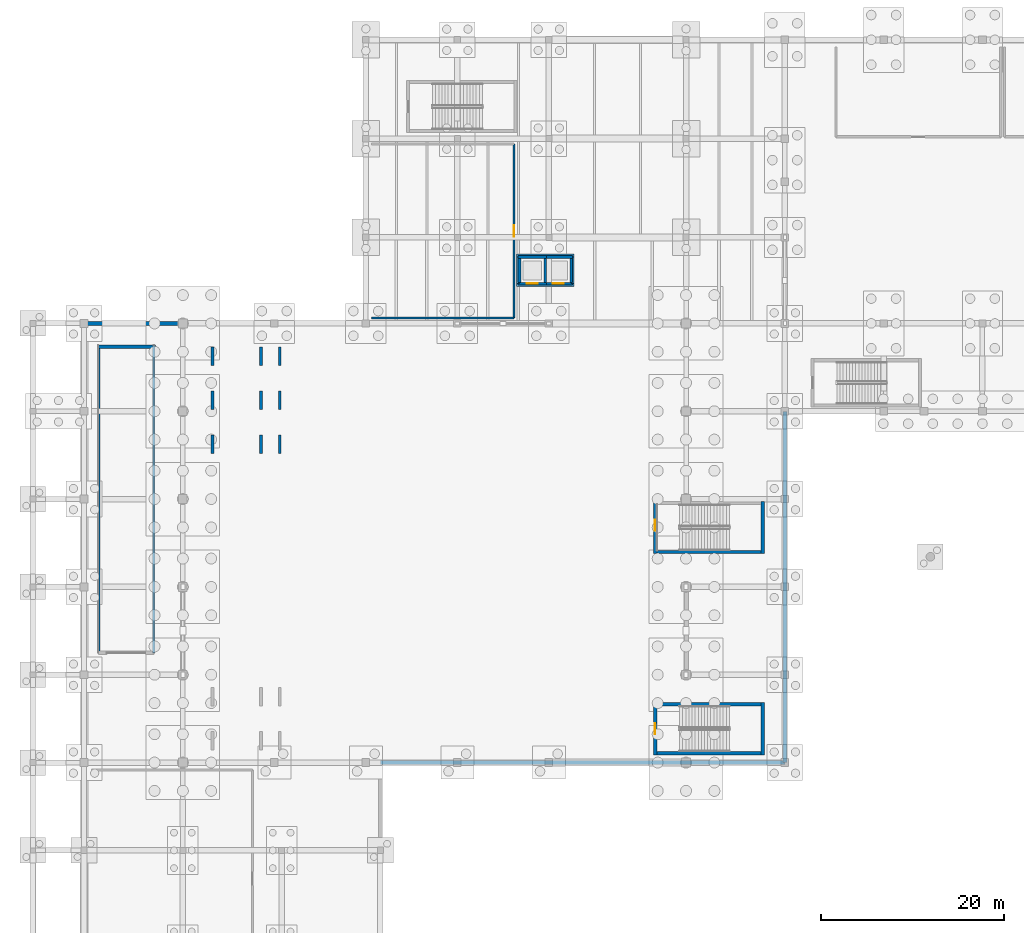
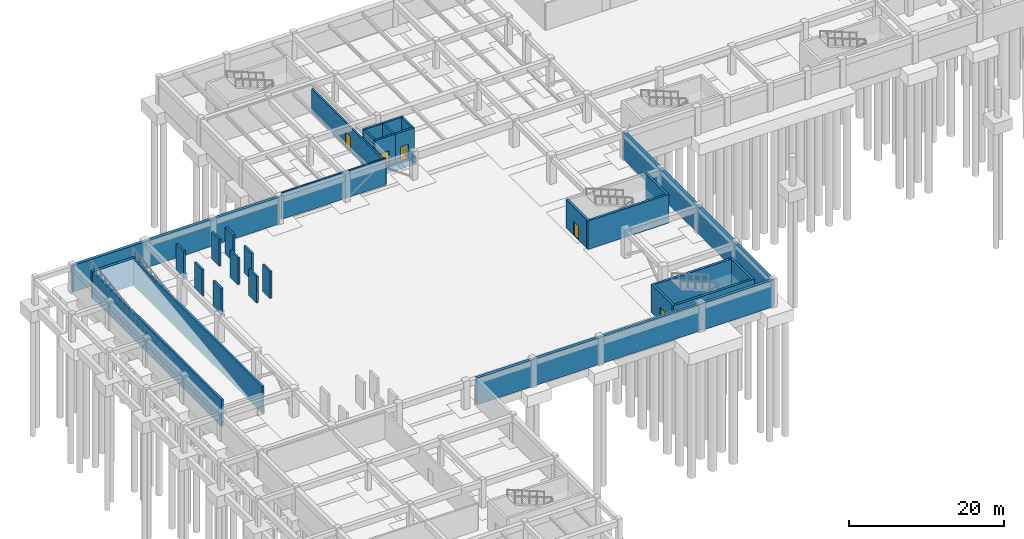
# One storey, part 15 of 33: 35 walls, 5 doors, 5 openings.
"""IFC4 building model written with IfcOpenShell, lengths in metres."""

from ifc_helpers import new_model, si_unit, direction, frame, frame_2d, origin, place, context, subcontext, project, spatial, rectangle, extrude, material, layer, layer_set, type_object, element, fill, save


model = new_model("IFC4")

# Units and contexts
model_context = context("Model", 3, precision=1e-05, world=origin(), true_north=direction((0.0, 1.0)))
body_context = subcontext(model_context, "Body", "Model", "MODEL_VIEW")
ifc_project = project(units=[si_unit("LENGTHUNIT", "METRE"), si_unit("AREAUNIT", "SQUARE_METRE"), si_unit("VOLUMEUNIT", "CUBIC_METRE"), si_unit("PLANEANGLEUNIT", "RADIAN"), si_unit("MASSUNIT", "GRAM", prefix="KILO")], contexts=[model_context])

# Site, building, storey
site_placement = place(None, origin())
site = spatial("IfcSite", under=ifc_project, at=site_placement, CompositionType="ELEMENT")
building_placement = place(site_placement, origin())
building = spatial("IfcBuilding", under=site, at=building_placement, Name="Veldera Park Congress Hotel", CompositionType="ELEMENT")
storey_placement = place(building_placement, frame((0.0, 0.0, -4.5)))
storey = spatial("IfcBuildingStorey", under=building, at=storey_placement, Name="B1", CompositionType="ELEMENT", Elevation=-4.5)

# Wall
ifc_material_1 = material(Name="Concrete f'c 40 MPa (5,800 psi)", Category="concrete")
ifc_layer_1 = layer(ifc_material_1, 0.239990234375)
ifc_layer_set_1 = layer_set([ifc_layer_1], Name="Concrete f'c 40 MPa (5,800 psi)")
wall_type_1 = type_object("IfcWallType", Name="IW-FIRE240", PredefinedType="STANDARD", material=ifc_layer_set_1)
wall_1_placement = place(storey_placement, frame((-46.800048828125, 27.60009765625, 0.0), z_axis=(0.0, 0.0, 1.0), x_axis=(1.0, 0.0, 0.0)))
element("IfcWall", 1, at=wall_1_placement, inside=storey, type_object=wall_type_1, Name="B1 Partition Wall IW3-B1-00006", PredefinedType="STANDARD", context=body_context, shape_type="SweptSolid", body=[
    extrude(rectangle(XDim=15.60009765625, YDim=0.239990234375, at=frame_2d((7.800048828125, 0.0))), origin(), (0.0, 0.0, 1.0), 4.199951171875),
])

# Wall, opening, door
wall_2_placement = place(storey_placement, frame((-31.199951171875, 27.60009765625, 0.0), z_axis=(0.0, 0.0, 1.0), x_axis=(0.0, 1.0, 0.0)))
wall_2 = element("IfcWall", 2, at=wall_2_placement, inside=storey, type_object=wall_type_1, Name="B1 Partition Wall IW3-B1-00007", PredefinedType="STANDARD", context=body_context, shape_type="SweptSolid", body=[
    extrude(rectangle(XDim=19.0, YDim=0.239990234375, at=frame_2d((9.5, 0.0))), origin(), (0.0, 0.0, 1.0), 3.657958984375),
])
opening_1_placement = place(wall_2_placement, frame((8.85009765625, 0.0, 0.0)))
opening_1 = element("IfcOpeningElement", 3, at=opening_1_placement, cuts=wall_2, Name="Opening ID-PLANT130", PredefinedType="OPENING", context=body_context, shape_type="SweptSolid", body=[
    extrude(rectangle(XDim=1.300048828125, YDim=2.199951171875, at=frame_2d((0.64990234375, 1.10009765625))), frame((0.0, 0.132080078125, 0.0), z_axis=(0.0, -1.0, 0.0), x_axis=(1.0, 0.0, 0.0)), (0.0, 0.0, 1.0), 0.263916015625),
])
ifc_material_2 = material(Name="Hollow Metal Fire-Rated Steel Door", Category="steel")
door_type_1 = type_object("IfcDoorType", Name="ID-PLANT130", OperationType="NOTDEFINED", PredefinedType="DOOR", material=ifc_material_2)
door_1_placement = place(opening_1_placement, origin())
door_1 = element("IfcDoor", 4, at=door_1_placement, inside=storey, type_object=door_type_1, Name="B1 Central Chiller and Thermal Energy Plant Door ID3-B1-0004 (DR3-ID3-B1-0004)", OperationType="SINGLE_SWING_RIGHT", OverallHeight=2.199951171875, OverallWidth=1.300048828125, PredefinedType="DOOR", context=body_context, shape_type="SweptSolid", body=[
    extrude(rectangle(XDim=1.300048828125, YDim=2.199951171875, at=frame_2d((0.64990234375, 1.10009765625))), frame((0.0, 0.02490234375, 0.0), z_axis=(0.0, -1.0, 0.0), x_axis=(1.0, 0.0, 0.0)), (0.0, 0.0, 1.0), 0.050048828125),
])
fill(opening_1, door_1)

# Walls
ifc_layer_2 = layer(ifc_material_1, 0.35009765625)
ifc_layer_set_2 = layer_set([ifc_layer_2], Name="Concrete f'c 40 MPa (5,800 psi)")
wall_type_2 = type_object("IfcWallType", Name="SW-CORE350", PredefinedType="SHEAR", material=ifc_layer_set_2)
wall_3_placement = place(storey_placement, frame((-15.949951171875, -19.97509765625, 0.0), z_axis=(0.0, 0.0, 1.0), x_axis=(1.0, 0.0, 0.0)))
element("IfcWall", 5, at=wall_3_placement, inside=storey, type_object=wall_type_2, Name="Stair ST5 Core Wall B1-S", PredefinedType="SHEAR", context=body_context, shape_type="SweptSolid", body=[
    extrude(rectangle(XDim=12.099853515625, YDim=0.35009765625, at=frame_2d((6.0498046875, 0.0))), origin(), (0.0, 0.0, 1.0), 4.5),
])
wall_4_placement = place(storey_placement, frame((-4.02490234375, -20.14990234375, 0.0), z_axis=(0.0, 0.0, 1.0), x_axis=(0.0, 1.0, 0.0)))
element("IfcWall", 6, at=wall_4_placement, inside=storey, type_object=wall_type_2, Name="Stair ST5 Core Wall B1-E", PredefinedType="SHEAR", context=body_context, shape_type="SweptSolid", body=[
    extrude(rectangle(XDim=5.699951171875, YDim=0.35009765625, at=frame_2d((2.85009765625, 0.0))), origin(), (0.0, 0.0, 1.0), 4.5),
])
wall_5_placement = place(storey_placement, frame((-3.85009765625, -14.625, 0.0), z_axis=(0.0, 0.0, 1.0), x_axis=(-1.0, 0.0, 0.0)))
element("IfcWall", 7, at=wall_5_placement, inside=storey, type_object=wall_type_2, Name="Stair ST5 Core Wall B1-N", PredefinedType="SHEAR", context=body_context, shape_type="SweptSolid", body=[
    extrude(rectangle(XDim=12.099853515625, YDim=0.35009765625, at=frame_2d((6.0498046875, 0.0))), origin(), (0.0, 0.0, 1.0), 4.5),
])

# Wall, opening, door
wall_6_placement = place(storey_placement, frame((-15.77490234375, -14.449951171875, 0.0), z_axis=(0.0, 0.0, 1.0), x_axis=(0.0, -1.0, 0.0)))
wall_6 = element("IfcWall", 8, at=wall_6_placement, inside=storey, type_object=wall_type_2, Name="Stair ST5 Core Wall B1-W", PredefinedType="SHEAR", context=body_context, shape_type="SweptSolid", body=[
    extrude(rectangle(XDim=5.699951171875, YDim=0.35009765625, at=frame_2d((2.85009765625, 0.0))), origin(), (0.0, 0.0, 1.0), 4.5),
])
opening_2_placement = place(wall_6_placement, frame((2.25, 0.0, 0.0)))
opening_2 = element("IfcOpeningElement", 9, at=opening_2_placement, cuts=wall_6, Name="Opening ID-STAIR120", PredefinedType="OPENING", context=body_context, shape_type="SweptSolid", body=[
    extrude(rectangle(XDim=1.199951171875, YDim=2.199951171875, at=frame_2d((0.60009765625, 1.10009765625))), frame((0.0, 0.18701171875, 0.0), z_axis=(0.0, -1.0, 0.0), x_axis=(1.0, 0.0, 0.0)), (0.0, 0.0, 1.0), 0.3740234375),
])
door_type_2 = type_object("IfcDoorType", Name="ID-STAIR120", OperationType="NOTDEFINED", PredefinedType="DOOR", material=ifc_material_2)
door_2_placement = place(opening_2_placement, origin())
door_2 = element("IfcDoor", 10, at=door_2_placement, inside=storey, type_object=door_type_2, Name="B1 Stair ST5 Fire Door (DR3-SD-ST5-B1)", OperationType="SINGLE_SWING_RIGHT", OverallHeight=2.199951171875, OverallWidth=1.199951171875, PredefinedType="DOOR", context=body_context, shape_type="SweptSolid", body=[
    extrude(rectangle(XDim=1.199951171875, YDim=2.199951171875, at=frame_2d((0.60009765625, 1.10009765625))), frame((0.0, 0.02490234375, 0.0), z_axis=(0.0, -1.0, 0.0), x_axis=(1.0, 0.0, 0.0)), (0.0, 0.0, 1.0), 0.050048828125),
])
fill(opening_2, door_2)

# Walls
wall_7_placement = place(storey_placement, frame((-15.949951171875, 2.02490234375, 0.0), z_axis=(0.0, 0.0, 1.0), x_axis=(1.0, 0.0, 0.0)))
element("IfcWall", 11, at=wall_7_placement, inside=storey, type_object=wall_type_2, Name="Monumental Stair ST9 Wall B1-S", PredefinedType="SHEAR", context=body_context, shape_type="SweptSolid", body=[
    extrude(rectangle(XDim=12.099853515625, YDim=0.35009765625, at=frame_2d((6.0498046875, 0.0))), origin(), (0.0, 0.0, 1.0), 4.5),
])
wall_8_placement = place(storey_placement, frame((-4.02490234375, 1.85009765625, 0.0), z_axis=(0.0, 0.0, 1.0), x_axis=(0.0, 1.0, 0.0)))
element("IfcWall", 12, at=wall_8_placement, inside=storey, type_object=wall_type_2, Name="Monumental Stair ST9 Wall B1-E", PredefinedType="SHEAR", context=body_context, shape_type="SweptSolid", body=[
    extrude(rectangle(XDim=5.699951171875, YDim=0.35009765625, at=frame_2d((2.85009765625, 0.0))), origin(), (0.0, 0.0, 1.0), 4.5),
])

# Wall, opening, door
wall_9_placement = place(storey_placement, frame((-15.77490234375, 7.550048828125, 0.0), z_axis=(0.0, 0.0, 1.0), x_axis=(0.0, -1.0, 0.0)))
wall_9 = element("IfcWall", 13, at=wall_9_placement, inside=storey, type_object=wall_type_2, Name="Monumental Stair ST9 Wall B1-W", PredefinedType="SHEAR", context=body_context, shape_type="SweptSolid", body=[
    extrude(rectangle(XDim=5.699951171875, YDim=0.35009765625, at=frame_2d((2.85009765625, 0.0))), origin(), (0.0, 0.0, 1.0), 4.5),
])
opening_3_placement = place(wall_9_placement, frame((2.0, 0.0, 0.0)))
opening_3 = element("IfcOpeningElement", 14, at=opening_3_placement, cuts=wall_9, Name="Opening ID-STAIR120", PredefinedType="OPENING", context=body_context, shape_type="SweptSolid", body=[
    extrude(rectangle(XDim=1.199951171875, YDim=2.199951171875, at=frame_2d((0.60009765625, 1.10009765625))), frame((0.0, 0.18701171875, 0.0), z_axis=(0.0, -1.0, 0.0), x_axis=(1.0, 0.0, 0.0)), (0.0, 0.0, 1.0), 0.3740234375),
])
door_3_placement = place(opening_3_placement, origin())
door_3 = element("IfcDoor", 15, at=door_3_placement, inside=storey, type_object=door_type_2, Name="B1 Stair ST9 Fire Door (DR3-SD-ST9-B1)", OperationType="SINGLE_SWING_RIGHT", OverallHeight=2.199951171875, OverallWidth=1.199951171875, PredefinedType="DOOR", context=body_context, shape_type="SweptSolid", body=[
    extrude(rectangle(XDim=1.199951171875, YDim=2.199951171875, at=frame_2d((0.60009765625, 1.10009765625))), frame((0.0, 0.02490234375, 0.0), z_axis=(0.0, -1.0, 0.0), x_axis=(1.0, 0.0, 0.0)), (0.0, 0.0, 1.0), 0.050048828125),
])
fill(opening_3, door_3)

# Walls
ifc_layer_3 = layer(ifc_material_1, 0.39990234375)
ifc_layer_set_3 = layer_set([ifc_layer_3], Name="Concrete f'c 40 MPa (5,800 psi)")
wall_type_3 = type_object("IfcWallType", Name="SW-CORE400", PredefinedType="SHEAR", material=ifc_layer_set_3)
wall_10_placement = place(storey_placement, frame((-76.800048828125, 24.449951171875, 0.0), z_axis=(0.0, 0.0, 1.0), x_axis=(1.0, 0.0, 0.0)))
element("IfcWall", 16, at=wall_10_placement, inside=storey, type_object=wall_type_3, Name="Vehicle Ramp Upper Bearing Wall", PredefinedType="SHEAR", context=body_context, shape_type="SweptSolid", body=[
    extrude(rectangle(XDim=6.400146484375, YDim=0.39990234375, at=frame_2d((3.2001953125, 0.0))), origin(), (0.0, 0.0, 1.0), 4.199951171875),
])
ifc_layer_4 = layer(ifc_material_1, 0.320068359375)
ifc_layer_set_4 = layer_set([ifc_layer_4], Name="Concrete f'c 40 MPa (5,800 psi)")
wall_type_4 = type_object("IfcWallType", Name="SW-PIT320", PredefinedType="SHEAR", material=ifc_layer_set_4)
for number, where, z_axis, x_axis, name in (
    (17, (-30.919921875, 31.18994140625, -1.179931640625), (0.0, 0.0, 1.0), (1.0, 0.0, 0.0), "Elevator Pit Wall PIT-CL-S"),
    (18, (-24.6298828125, 34.409912109375, -1.179931640625), (0.0, 0.0, 1.0), (-1.0, 0.0, 0.0), "Elevator Pit Wall PIT-CL-N"),
):
    element("IfcWall", number, at=place(storey_placement, frame(where, z_axis=z_axis, x_axis=x_axis)), inside=storey, type_object=wall_type_4, Name=name, PredefinedType="SHEAR", context=body_context, shape_type="SweptSolid", body=[
        extrude(rectangle(XDim=6.2900390625, YDim=0.320068359375, at=frame_2d((3.14501953125, 0.0))), origin(), (0.0, 0.0, 1.0), 1.179931640625),
    ])
for number, where, z_axis, x_axis, name in (
    (19, (-24.7900390625, 31.35009765625, -1.179931640625), (0.0, 0.0, 1.0), (0.0, 1.0, 0.0), "Elevator Pit Wall PIT-CL-E"),
    (20, (-30.760009765625, 34.25, -1.179931640625), (0.0, 0.0, 1.0), (0.0, -1.0, 0.0), "Elevator Pit Wall PIT-CL-W"),
):
    element("IfcWall", number, at=place(storey_placement, frame(where, z_axis=z_axis, x_axis=x_axis)), inside=storey, type_object=wall_type_4, Name=name, PredefinedType="SHEAR", context=body_context, shape_type="SweptSolid", body=[
        extrude(rectangle(XDim=2.89990234375, YDim=0.320068359375, at=frame_2d((1.449951171875, 0.0))), origin(), (0.0, 0.0, 1.0), 1.179931640625),
    ])
ifc_layer_5 = layer(ifc_material_1, 0.449951171875)
ifc_layer_set_5 = layer_set([ifc_layer_5], Name="Concrete f'c 40 MPa (5,800 psi)")
wall_type_5 = type_object("IfcWallType", Name="SW-RET450", PredefinedType="USERDEFINED", material=ifc_layer_set_5)
wall_11_placement = place(storey_placement, frame((-45.800048828125, -21.0, 0.0), z_axis=(0.0, 0.0, 1.0), x_axis=(1.0, 0.0, 0.0)))
element("IfcWall", 21, at=wall_11_placement, inside=storey, type_object=wall_type_5, Name="Basement Retaining Wall 3", ObjectType="RETAININGWALL", PredefinedType="USERDEFINED", context=body_context, shape_type="SweptSolid", body=[
    extrude(rectangle(XDim=44.199951171875, YDim=0.449951171875, at=frame_2d((22.10009765625, 0.0))), origin(), (0.0, 0.0, 1.0), 4.199951171875),
])
wall_12_placement = place(storey_placement, frame((-1.60009765625, -21.0, 0.0), z_axis=(0.0, 0.0, 1.0), x_axis=(0.0, 1.0, 0.0)))
element("IfcWall", 22, at=wall_12_placement, inside=storey, type_object=wall_type_5, Name="Basement Retaining Wall 4", ObjectType="RETAININGWALL", PredefinedType="USERDEFINED", context=body_context, shape_type="SweptSolid", body=[
    extrude(rectangle(XDim=38.39990234375, YDim=0.449951171875, at=frame_2d((19.199951171875, 0.0))), origin(), (0.0, 0.0, 1.0), 4.199951171875),
])
wall_13_placement = place(storey_placement, frame((-47.39990234375, 27.0, 0.0), z_axis=(0.0, 0.0, 1.0), x_axis=(-1.0, 0.0, 0.0)))
element("IfcWall", 23, at=wall_13_placement, inside=storey, type_object=wall_type_5, Name="Basement Retaining Wall 11", ObjectType="RETAININGWALL", PredefinedType="USERDEFINED", context=body_context, shape_type="SweptSolid", body=[
    extrude(rectangle(XDim=30.800048828125, YDim=0.449951171875, at=frame_2d((15.39990234375, 0.0))), origin(), (0.0, 0.0, 1.0), 4.199951171875),
])
ifc_layer_6 = layer(ifc_material_1, 0.300048828125)
ifc_layer_set_6 = layer_set([ifc_layer_6], Name="Concrete f'c 40 MPa (5,800 psi)")
wall_type_6 = type_object("IfcWallType", Name="SW-SHFT300", PredefinedType="SHEAR", material=ifc_layer_set_6)
for number, where, z_axis, x_axis, name in (
    (24, (-76.6201171875, -9.0, 0.0), (0.0, 0.0, 1.0), (0.0, 1.0, 0.0), "Vehicle Ramp Support Cheek Wall W"),
    (25, (-70.580078125, -9.0, 0.0), (0.0, 0.0, 1.0), (0.0, 1.0, 0.0), "Vehicle Ramp Support Cheek Wall E"),
):
    element("IfcWall", number, at=place(storey_placement, frame(where, z_axis=z_axis, x_axis=x_axis)), inside=storey, type_object=wall_type_6, Name=name, PredefinedType="SHEAR", context=body_context, shape_type="SweptSolid", body=[
        extrude(rectangle(XDim=33.60009765625, YDim=0.300048828125, at=frame_2d((16.800048828125, 0.0))), origin(), (0.0, 0.0, 1.0), 4.179931640625),
    ])

# Wall, opening, door
wall_14_placement = place(storey_placement, frame((-30.75, 31.35009765625, 0.0), z_axis=(0.0, 0.0, 1.0), x_axis=(1.0, 0.0, 0.0)))
wall_14 = element("IfcWall", 26, at=wall_14_placement, inside=storey, type_object=wall_type_6, Name="Lift CL-01 Shaft Wall B1-S", PredefinedType="SHEAR", context=body_context, shape_type="SweptSolid", body=[
    extrude(rectangle(XDim=3.10009765625, YDim=0.300048828125, at=frame_2d((1.550048828125, 0.0))), origin(), (0.0, 0.0, 1.0), 4.5),
])
opening_4_placement = place(wall_14_placement, frame((0.949951171875, 0.0, 0.0)))
opening_4 = element("IfcOpeningElement", 27, at=opening_4_placement, cuts=wall_14, Name="Opening LD-120", PredefinedType="OPENING", context=body_context, shape_type="SweptSolid", body=[
    extrude(rectangle(XDim=1.199951171875, YDim=2.199951171875, at=frame_2d((0.60009765625, 1.10009765625))), frame((0.0, 0.162109375, 0.0), z_axis=(0.0, -1.0, 0.0), x_axis=(1.0, 0.0, 0.0)), (0.0, 0.0, 1.0), 0.323974609375),
])
door_type_3 = type_object("IfcDoorType", Name="LD-120", OperationType="DOUBLE_DOOR_SLIDING", PredefinedType="DOOR", material=ifc_material_2)
door_4_placement = place(opening_4_placement, origin())
door_4 = element("IfcDoor", 28, at=door_4_placement, inside=storey, type_object=door_type_3, Name="B1 Lift CL-01 Landing Door (DR3-LD-CL-01-B1)", OperationType="DOUBLE_DOOR_SLIDING", OverallHeight=2.199951171875, OverallWidth=1.199951171875, PredefinedType="DOOR", context=body_context, shape_type="SweptSolid", body=[
    extrude(rectangle(XDim=1.199951171875, YDim=2.199951171875, at=frame_2d((0.60009765625, 1.10009765625))), frame((0.0, 0.02490234375, 0.0), z_axis=(0.0, -1.0, 0.0), x_axis=(1.0, 0.0, 0.0)), (0.0, 0.0, 1.0), 0.050048828125),
])
fill(opening_4, door_4)

# Walls
wall_15_placement = place(storey_placement, frame((-27.64990234375, 34.25, 0.0), z_axis=(0.0, 0.0, 1.0), x_axis=(-1.0, 0.0, 0.0)))
element("IfcWall", 29, at=wall_15_placement, inside=storey, type_object=wall_type_6, Name="Lift CL-01 Shaft Wall B1-N", PredefinedType="SHEAR", context=body_context, shape_type="SweptSolid", body=[
    extrude(rectangle(XDim=3.10009765625, YDim=0.300048828125, at=frame_2d((1.550048828125, 0.0))), origin(), (0.0, 0.0, 1.0), 4.5),
])
for number, where, z_axis, x_axis, name in (
    (30, (-27.800048828125, 31.5, 0.0), (0.0, 0.0, 1.0), (0.0, 1.0, 0.0), "Lift CL-01 Shaft Wall B1-E"),
    (31, (-30.60009765625, 34.10009765625, 0.0), (0.0, 0.0, 1.0), (0.0, -1.0, 0.0), "Lift CL-01 Shaft Wall B1-W"),
):
    element("IfcWall", number, at=place(storey_placement, frame(where, z_axis=z_axis, x_axis=x_axis)), inside=storey, type_object=wall_type_6, Name=name, PredefinedType="SHEAR", context=body_context, shape_type="SweptSolid", body=[
        extrude(rectangle(XDim=2.60009765625, YDim=0.300048828125, at=frame_2d((1.300048828125, 0.0))), origin(), (0.0, 0.0, 1.0), 4.5),
    ])

# Wall, opening, door
wall_16_placement = place(storey_placement, frame((-27.89990234375, 31.35009765625, 0.0), z_axis=(0.0, 0.0, 1.0), x_axis=(1.0, 0.0, 0.0)))
wall_16 = element("IfcWall", 32, at=wall_16_placement, inside=storey, type_object=wall_type_6, Name="Lift CL-02 Shaft Wall B1-S", PredefinedType="SHEAR", context=body_context, shape_type="SweptSolid", body=[
    extrude(rectangle(XDim=3.099853515625, YDim=0.300048828125, at=frame_2d((1.5498046875, 0.0))), origin(), (0.0, 0.0, 1.0), 4.5),
])
opening_5_placement = place(wall_16_placement, frame((0.949951171875, 0.0, 0.0)))
opening_5 = element("IfcOpeningElement", 33, at=opening_5_placement, cuts=wall_16, Name="Opening LD-120", PredefinedType="OPENING", context=body_context, shape_type="SweptSolid", body=[
    extrude(rectangle(XDim=1.199951171875, YDim=2.199951171875, at=frame_2d((0.60009765625, 1.10009765625))), frame((0.0, 0.162109375, 0.0), z_axis=(0.0, -1.0, 0.0), x_axis=(1.0, 0.0, 0.0)), (0.0, 0.0, 1.0), 0.323974609375),
])
door_5_placement = place(opening_5_placement, origin())
door_5 = element("IfcDoor", 34, at=door_5_placement, inside=storey, type_object=door_type_3, Name="B1 Lift CL-02 Landing Door (DR3-LD-CL-02-B1)", OperationType="DOUBLE_DOOR_SLIDING", OverallHeight=2.199951171875, OverallWidth=1.199951171875, PredefinedType="DOOR", context=body_context, shape_type="SweptSolid", body=[
    extrude(rectangle(XDim=1.199951171875, YDim=2.199951171875, at=frame_2d((0.60009765625, 1.10009765625))), frame((0.0, 0.02490234375, 0.0), z_axis=(0.0, -1.0, 0.0), x_axis=(1.0, 0.0, 0.0)), (0.0, 0.0, 1.0), 0.050048828125),
])
fill(opening_5, door_5)

# Walls
wall_17_placement = place(storey_placement, frame((-24.800048828125, 34.25, 0.0), z_axis=(0.0, 0.0, 1.0), x_axis=(-1.0, 0.0, 0.0)))
element("IfcWall", 35, at=wall_17_placement, inside=storey, type_object=wall_type_6, Name="Lift CL-02 Shaft Wall B1-N", PredefinedType="SHEAR", context=body_context, shape_type="SweptSolid", body=[
    extrude(rectangle(XDim=3.099853515625, YDim=0.300048828125, at=frame_2d((1.5498046875, 0.0))), origin(), (0.0, 0.0, 1.0), 4.5),
])
wall_18_placement = place(storey_placement, frame((-24.949951171875, 31.5, 0.0), z_axis=(0.0, 0.0, 1.0), x_axis=(0.0, 1.0, 0.0)))
element("IfcWall", 36, at=wall_18_placement, inside=storey, type_object=wall_type_6, Name="Lift CL-02 Shaft Wall B1-E", PredefinedType="SHEAR", context=body_context, shape_type="SweptSolid", body=[
    extrude(rectangle(XDim=2.60009765625, YDim=0.300048828125, at=frame_2d((1.300048828125, 0.0))), origin(), (0.0, 0.0, 1.0), 4.5),
])
for number, where, z_axis, x_axis, name in (
    (37, (-64.14990234375, 12.800048828125, 0.0), (0.0, 0.0, 1.0), (0.0, 1.0, 0.0), "Accessible Ramp 3 B1 Lower Pier Wall"),
    (38, (-58.85009765625, 12.800048828125, 0.0), (0.0, 0.0, 1.0), (0.0, 1.0, 0.0), "Accessible Ramp 3 B1 Upper Pier Wall"),
    (39, (-56.800048828125, 12.800048828125, 0.0), (0.0, 0.0, 1.0), (0.0, 1.0, 0.0), "Accessible Ramp 3 B1 Landing East Pier Wall"),
    (40, (-64.14990234375, 17.60009765625, 0.0), (0.0, 0.0, 1.0), (0.0, 1.0, 0.0), "Accessible Ramp 4 B1 Lower Pier Wall"),
    (41, (-58.85009765625, 17.60009765625, 0.0), (0.0, 0.0, 1.0), (0.0, 1.0, 0.0), "Accessible Ramp 4 B1 Upper Pier Wall"),
    (42, (-56.800048828125, 17.60009765625, 0.0), (0.0, 0.0, 1.0), (0.0, 1.0, 0.0), "Accessible Ramp 4 B1 Landing East Pier Wall"),
    (43, (-64.14990234375, 22.39990234375, 0.0), (0.0, 0.0, 1.0), (0.0, 1.0, 0.0), "Accessible Ramp 5 B1 Lower Pier Wall"),
    (44, (-58.85009765625, 22.39990234375, 0.0), (0.0, 0.0, 1.0), (0.0, 1.0, 0.0), "Accessible Ramp 5 B1 Upper Pier Wall"),
    (45, (-56.800048828125, 22.39990234375, 0.0), (0.0, 0.0, 1.0), (0.0, 1.0, 0.0), "Accessible Ramp 5 B1 Landing East Pier Wall"),
):
    element("IfcWall", number, at=place(storey_placement, frame(where, z_axis=z_axis, x_axis=x_axis)), inside=storey, type_object=wall_type_6, Name=name, PredefinedType="SHEAR", context=body_context, shape_type="SweptSolid", body=[
        extrude(rectangle(XDim=2.0, YDim=0.300048828125, at=frame_2d((1.0, 0.0))), origin(), (0.0, 0.0, 1.0), 4.199951171875),
    ])

save(model, "model.ifc")
